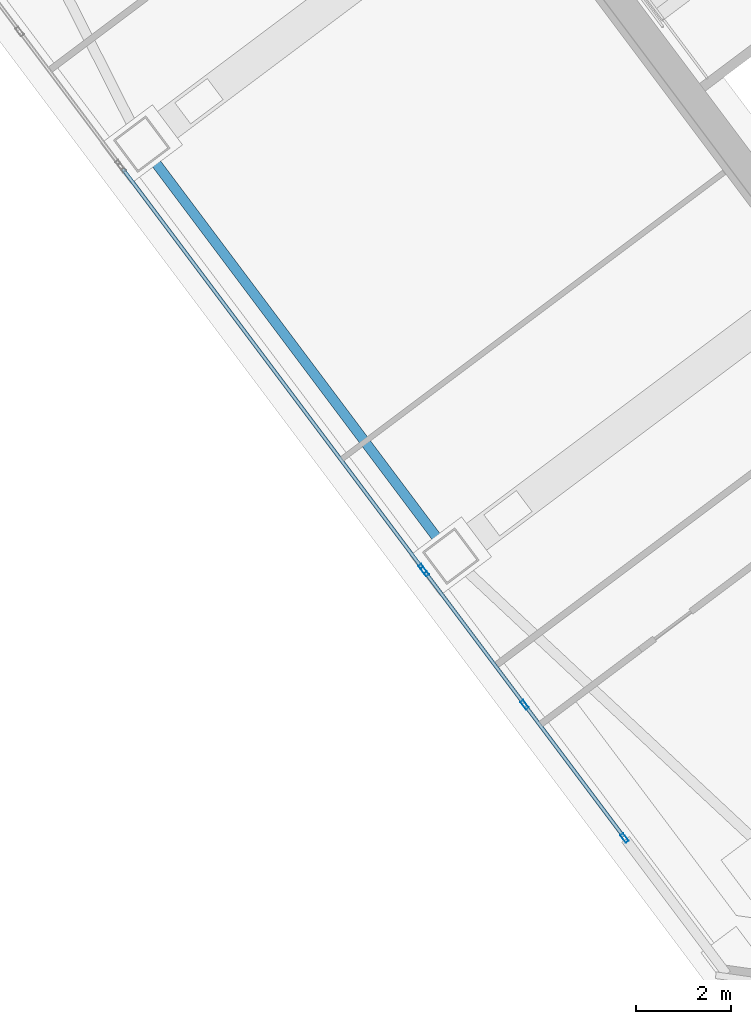
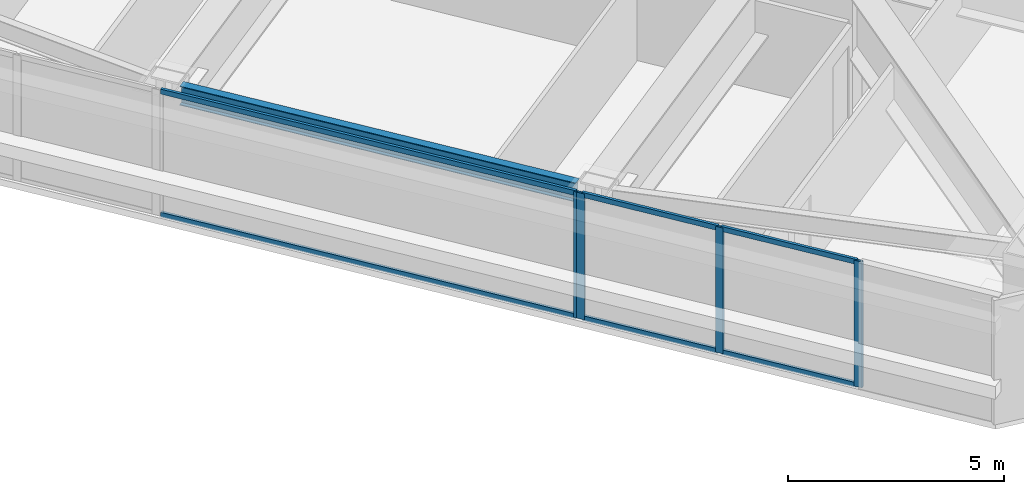
# One storey, part 16 of 42: 10 members, 1 beam, 2 elements without a shape of their own.
"""IFC4 building model written with IfcOpenShell, lengths in metres."""

import ifcopenshell
import ifcopenshell.guid

model = None  # the IFC model being written
_history = None  # IfcOwnerHistory: only IFC2X3 demands one
_inside = {}  # id of a spatial element -> (the spatial element, [elements in it])
_under = {}  # id of a project, library or spatial element -> (it, [spatial elements below it])
_declared = {}  # id of a project -> (the project, [libraries it declares])
_typed = {}  # id of a type object -> (the type object, [elements of that type])
_made_of = {}  # id of a material, layer set ... -> (it, [elements and type objects made of it])


def new_model(schema):
    """Start an empty IFC model of exactly this schema.

    Asked for "IFC4X3", IfcOpenShell would pick the latest addendum, in which some entities
    have other attributes; the version numbers below select the first issue.
    IFC2X3 requires an IfcOwnerHistory on every rooted entity: one is made here for all.
    """
    global model, _history
    if schema == "IFC4X3":
        model = ifcopenshell.file(schema_version=(4, 3, 0, 0))
    else:
        model = ifcopenshell.file(schema=schema)
    _inside.clear()
    _under.clear()
    _declared.clear()
    _typed.clear()
    _made_of.clear()
    _history = None
    if model.schema == "IFC2X3":
        org = make("IfcOrganization", Name="unknown")
        user = make(
            "IfcPersonAndOrganization",
            ThePerson=make("IfcPerson", FamilyName="unknown"),
            TheOrganization=org,
        )
        app = make(
            "IfcApplication",
            ApplicationDeveloper=org,
            Version="unknown",
            ApplicationFullName="unknown",
            ApplicationIdentifier="unknown",
        )
        _history = make(
            "IfcOwnerHistory",
            OwningUser=user,
            OwningApplication=app,
            ChangeAction="ADDED",
            CreationDate=0,
        )
    return model


def make(cls, **values):
    """One entity of the class cls with the attributes given. An attribute that is None is left unset."""
    return model.create_entity(
        cls, **{name: value for name, value in values.items() if value is not None}
    )


def rooted(cls, **values):
    """An entity with a GlobalId (a new one), such as an element, a storey or a relation."""
    return make(cls, GlobalId=ifcopenshell.guid.new(), OwnerHistory=_history, **values)


def si_unit(unit_type, name, prefix=None):
    """IfcSIUnit, for example si_unit("LENGTHUNIT", "METRE", prefix="MILLI")."""
    return make("IfcSIUnit", UnitType=unit_type, Prefix=prefix, Name=name)


def assignment(units):
    """IfcUnitAssignment: the units of a project."""
    return None if units is None else make("IfcUnitAssignment", Units=units)


def point(xyz):
    """IfcCartesianPoint."""
    return None if xyz is None else make("IfcCartesianPoint", Coordinates=xyz)


def direction(xyz):
    """IfcDirection."""
    return None if xyz is None else make("IfcDirection", DirectionRatios=xyz)


def frame(location, z_axis=None, x_axis=None):
    """IfcAxis2Placement3D, a coordinate frame: its origin and axes. An axis left out is left unset."""
    return make(
        "IfcAxis2Placement3D",
        Location=point(location),
        Axis=direction(z_axis),
        RefDirection=direction(x_axis),
    )


def frame_2d(location, x_axis=None):
    """IfcAxis2Placement2D, a coordinate frame in the plane: its origin and x axis."""
    return make(
        "IfcAxis2Placement2D", Location=point(location), RefDirection=direction(x_axis)
    )


def origin():
    """The frame at (0, 0, 0) with its axes left unset."""
    return frame((0.0, 0.0, 0.0))


def origin_2d():
    """The frame at (0, 0) in the plane with its x axis left unset."""
    return frame_2d((0.0, 0.0))


def place(relative_to, where):
    """IfcLocalPlacement: puts the frame where relative to a parent placement (None: the world)."""
    return make(
        "IfcLocalPlacement", PlacementRelTo=relative_to, RelativePlacement=where
    )


def context(
    kind, dimensions, precision=None, world=None, true_north=None, identifier=None
):
    """IfcGeometricRepresentationContext, for example the 3D "Model" context."""
    return make(
        "IfcGeometricRepresentationContext",
        ContextIdentifier=identifier,
        ContextType=kind,
        CoordinateSpaceDimension=dimensions,
        Precision=precision,
        WorldCoordinateSystem=world,
        TrueNorth=true_north,
    )


def subcontext(parent, identifier, kind, view, scale=None):
    """IfcGeometricRepresentationSubContext, for example "Body" below "Model"."""
    return make(
        "IfcGeometricRepresentationSubContext",
        ContextIdentifier=identifier,
        ContextType=kind,
        ParentContext=parent,
        TargetScale=scale,
        TargetView=view,
    )


def project(units=None, contexts=None):
    """IfcProject with its units and contexts."""
    return rooted(
        "IfcProject",
        Name="project",
        RepresentationContexts=contexts,
        UnitsInContext=assignment(units),
    )


def spatial(cls, under=None, at=None, **own):
    """A site, building, storey or space (cls), placed at a placement, below another one or the project."""
    s = rooted(cls, ObjectPlacement=at, **own)
    if under is not None:
        _under.setdefault(under.id(), (under, []))[1].append(s)
    return s


def profile(cls, at=None, kind="AREA", **sizes):
    """A parametric profile (cls). Its sizes go by their IFC names, for example OverallWidth=200.0."""
    return make(cls, ProfileType=kind, Position=at, **sizes)


def hollow_rectangle(**sizes):
    """IfcRectangleHollowProfileDef."""
    return profile("IfcRectangleHollowProfileDef", **sizes)


def i_section(**sizes):
    """IfcIShapeProfileDef."""
    return profile("IfcIShapeProfileDef", **sizes)


def extrude(swept, where, along, depth):
    """IfcExtrudedAreaSolid: the profile swept, set in the frame where, extruded along a direction by depth."""
    return make(
        "IfcExtrudedAreaSolid",
        SweptArea=swept,
        Position=where,
        ExtrudedDirection=direction(along),
        Depth=depth,
    )


def shape(context_of_items, identifier, shape_type, items):
    """IfcShapeRepresentation: the items that make up one representation, for example the "Body"."""
    return make(
        "IfcShapeRepresentation",
        ContextOfItems=context_of_items,
        RepresentationIdentifier=identifier,
        RepresentationType=shape_type,
        Items=items,
    )


def material(Name=None, Category=None):
    """IfcMaterial."""
    return make("IfcMaterial", Name=Name, Category=Category)


def material_profile(
    of_material, cross_section, Name=None, Category=None, Priority=None
):
    """IfcMaterialProfile: a cross section and its material."""
    return make(
        "IfcMaterialProfile",
        Name=Name,
        Material=of_material,
        Profile=cross_section,
        Priority=Priority,
        Category=Category,
    )


def profile_set(profiles, Name=None, composite=None):
    """IfcMaterialProfileSet."""
    return make(
        "IfcMaterialProfileSet",
        Name=Name,
        MaterialProfiles=profiles,
        CompositeProfile=composite,
    )


def made_of(thing, what):
    """Note that an element or type object is made of a material, layer set ...; save() writes the relation."""
    if what is not None:
        _made_of.setdefault(what.id(), (what, []))[1].append(thing)
    return thing


def type_object(cls, material=None, **own):
    """A type object (cls), such as IfcWallType, which elements share."""
    return made_of(rooted(cls, **own), material)


def element(
    cls,
    number,
    at=None,
    inside=None,
    cuts=None,
    type_object=None,
    material=None,
    context=None,
    identifier="Body",
    shape_type=None,
    held_by="IfcProductDefinitionShape",
    body=None,
    shapes=None,
    **own,
):
    """One element of the class cls, such as IfcWall. Its Tag is "e" and its number.

    at: its placement. inside: the storey or other place that contains it. cuts: it is an
    opening in that element (IfcRelVoidsElement). A single representation is given by context,
    identifier, shape_type and body (its items); several are given by shapes. held_by: the class
    of the entity that holds the representations. save() writes the other relations.
    """
    e = rooted(cls, Tag="e%d" % number, ObjectPlacement=at, **own)
    if body is not None:
        shapes = [shape(context, identifier, shape_type, body)]
    if shapes is not None:
        e.Representation = make(held_by, Representations=shapes)
    if inside is not None:
        _inside.setdefault(inside.id(), (inside, []))[1].append(e)
    if cuts is not None:
        rooted(
            "IfcRelVoidsElement", RelatingBuildingElement=cuts, RelatedOpeningElement=e
        )
    if type_object is not None:
        _typed.setdefault(type_object.id(), (type_object, []))[1].append(e)
    return made_of(e, material)


def aggregate(whole, parts):
    """IfcRelAggregates: a whole, such as a stair, and the parts it consists of."""
    return rooted("IfcRelAggregates", RelatingObject=whole, RelatedObjects=parts)


def save(model, path):
    """Write the relations noted so far, then the file.

    IfcRelAggregates (storeys below a building ...), IfcRelContainedInSpatialStructure (elements
    in a storey), IfcRelDefinesByType, IfcRelAssociatesMaterial and IfcRelDeclares: one each for
    every whole, place, type object, material and project.
    """
    for whole, parts in _under.values():
        aggregate(whole, parts)
    for where, things in _inside.values():
        rooted(
            "IfcRelContainedInSpatialStructure",
            RelatedElements=things,
            RelatingStructure=where,
        )
    for kind, things in _typed.values():
        rooted("IfcRelDefinesByType", RelatedObjects=things, RelatingType=kind)
    for what, things in _made_of.values():
        rooted("IfcRelAssociatesMaterial", RelatedObjects=things, RelatingMaterial=what)
    for by, libraries in _declared.values():
        rooted("IfcRelDeclares", RelatingContext=by, RelatedDefinitions=libraries)
    model.write(path)


model = new_model("IFC4")

# Units and contexts
model_context = context("Model", 3, precision=1e-05, world=origin(), true_north=direction((0.0, 1.0)))
body_context = subcontext(model_context, "Body", "Model", "MODEL_VIEW")
ifc_project = project(units=[si_unit("LENGTHUNIT", "METRE"), si_unit("AREAUNIT", "SQUARE_METRE"), si_unit("VOLUMEUNIT", "CUBIC_METRE"), si_unit("PLANEANGLEUNIT", "RADIAN"), si_unit("MASSUNIT", "GRAM", prefix="KILO")], contexts=[model_context])

# Site, building, storey
site_placement = place(None, origin())
site = spatial("IfcSite", under=ifc_project, at=site_placement, CompositionType="ELEMENT")
building_placement = place(site_placement, origin())
building = spatial("IfcBuilding", under=site, at=building_placement, Name="Tashvorn Skyway Center", CompositionType="ELEMENT")
storey_placement = place(building_placement, frame((0.0, 0.0, 153.449951171875)))
storey = spatial("IfcBuildingStorey", under=building, at=storey_placement, Name="L41", CompositionType="ELEMENT", Elevation=153.449951171875)

# Beam
ifc_material_1 = material(Name="Steel ASTM A992 Grade 50", Category="steel")
ifc_material_profile_1 = material_profile(ifc_material_1, i_section(OverallWidth=0.2109375, OverallDepth=0.5390625, WebThickness=0.01171875, FlangeThickness=0.018798828125, at=origin_2d()), Name="W21X73")
ifc_profile_set_1 = profile_set([ifc_material_profile_1], Name="Steel ASTM A992 Grade 50")
beam_type = type_object("IfcBeamType", Name="BM-SPANDREL-W21X73", PredefinedType="SPANDREL", material=ifc_profile_set_1)
beam_placement = place(storey_placement, frame((96.89208984375, 25.39404296875, 3.1005859375), z_axis=(0.599988234018, -0.800008824351, 0.0), x_axis=(0.800008824351, 0.599988234018, 0.0)))
element("IfcBeam", 1, at=beam_placement, inside=storey, type_object=beam_type, Name="Tower 2 L41 Spandrel Beam 11", PredefinedType="SPANDREL", context=body_context, shape_type="SweptSolid", body=[
    extrude(i_section(OverallWidth=0.2109375, OverallDepth=0.5390625, WebThickness=0.01171875, FlangeThickness=0.018798828125, at=origin_2d()), origin(), (0.0, 0.0, 1.0), 9.9599609375),
])

# Curtain wall, members
ifc_material_2 = material(Name="Thermally broken bronze-anodized aluminium 6063-T6", Category="aluminium")
curtain_wall_type = type_object("IfcCurtainWallType", Name="CW-CW-Z3", PredefinedType="NOTDEFINED", material=ifc_material_2)
curtain_wall_1_placement = place(storey_placement, origin())
curtain_wall_1 = element("IfcCurtainWall", 2, at=curtain_wall_1_placement, inside=storey, type_object=curtain_wall_type, Name="Tower 2 L41 West Unitised Curtain Wall Glazing Group 1", PredefinedType="NOTDEFINED")
ifc_material_profile_2 = material_profile(ifc_material_2, hollow_rectangle(XDim=0.074951171875, YDim=0.199951171875, WallThickness=0.00439453125, at=origin_2d()), Name="ALU-MULL-75x200")
ifc_profile_set_2 = profile_set([ifc_material_profile_2], Name="Thermally broken bronze-anodized aluminium 6063-T6")
member_type_1 = type_object("IfcMemberType", Name="CWM-CW-Z3", PredefinedType="MULLION", material=ifc_profile_set_2)
member_1_placement = place(storey_placement, frame((106.76416015625, 11.18115234375, 0.0), z_axis=(0.0, 0.0, 1.0), x_axis=(-0.799996599484, -0.600004533995, 0.0)))
member_1 = element("IfcMember", 3, at=member_1_placement, type_object=member_type_1, Name="CW-Z3 mullion 1", PredefinedType="MULLION", context=body_context, shape_type="SweptSolid", body=[
    extrude(hollow_rectangle(XDim=0.074951171875, YDim=0.199951171875, WallThickness=0.00439453125, at=origin_2d()), origin(), (0.0, 0.0, 1.0), 3.550048828125),
])
member_2_placement = place(storey_placement, frame((104.66943359375, 13.97412109375, 0.0), z_axis=(0.0, 0.0, 1.0), x_axis=(-0.799996599484, -0.600004533995, 0.0)))
member_2 = element("IfcMember", 4, at=member_2_placement, type_object=member_type_1, Name="CW-Z3 mullion 2", PredefinedType="MULLION", context=body_context, shape_type="SweptSolid", body=[
    extrude(hollow_rectangle(XDim=0.074951171875, YDim=0.199951171875, WallThickness=0.00439453125, at=origin_2d()), origin(), (0.0, 0.0, 1.0), 3.550048828125),
])
member_3_placement = place(storey_placement, frame((102.574462890625, 16.767333984375, 0.0), z_axis=(0.0, 0.0, 1.0), x_axis=(-0.799996599484, -0.600004533995, 0.0)))
member_3 = element("IfcMember", 5, at=member_3_placement, type_object=member_type_1, Name="CW-Z3 mullion 3", PredefinedType="MULLION", context=body_context, shape_type="SweptSolid", body=[
    extrude(hollow_rectangle(XDim=0.074951171875, YDim=0.199951171875, WallThickness=0.00439453125, at=origin_2d()), origin(), (0.0, 0.0, 1.0), 3.550048828125),
])

# Curtain wall, member
curtain_wall_2_placement = place(storey_placement, origin())
curtain_wall_2 = element("IfcCurtainWall", 6, at=curtain_wall_2_placement, inside=storey, type_object=curtain_wall_type, Name="Tower 2 L41 West Unitised Curtain Wall Glazing Group 2", PredefinedType="NOTDEFINED")
member_4_placement = place(storey_placement, frame((102.529541015625, 16.827392578125, 0.0), z_axis=(0.0, 0.0, 1.0), x_axis=(-0.800002266987, -0.599996977339, 0.0)))
member_4 = element("IfcMember", 7, at=member_4_placement, type_object=member_type_1, Name="CW-Z3 mullion 1", PredefinedType="MULLION", context=body_context, shape_type="SweptSolid", body=[
    extrude(hollow_rectangle(XDim=0.074951171875, YDim=0.199951171875, WallThickness=0.00439453125, at=origin_2d()), origin(), (0.0, 0.0, 1.0), 3.550048828125),
])

# Member
ifc_material_profile_3 = material_profile(ifc_material_2, hollow_rectangle(XDim=0.074951171875, YDim=0.139892578125, WallThickness=0.004150390625, at=origin_2d()), Name="ALU-TRAN-75x140")
ifc_profile_set_3 = profile_set([ifc_material_profile_3], Name="Thermally broken bronze-anodized aluminium 6063-T6")
member_type_2 = type_object("IfcMemberType", Name="CWT-CW-Z3", PredefinedType="USERDEFINED", material=ifc_profile_set_3)
member_5_placement = place(storey_placement, frame((106.74169921875, 11.211181640625, 0.03759765625), z_axis=(-0.600022868659, 0.799982847995, 0.0), x_axis=(-0.799982847995, -0.600022868659, 0.0)))
member_5 = element("IfcMember", 8, at=member_5_placement, type_object=member_type_2, Name="CW-Z3 transom 1.1", ObjectType="TRANSOM", PredefinedType="USERDEFINED", context=body_context, shape_type="SweptSolid", body=[
    extrude(hollow_rectangle(XDim=0.074951171875, YDim=0.139892578125, WallThickness=0.004150390625, at=origin_2d()), origin(), (0.0, 0.0, 1.0), 3.416259765625),
])

member_6_placement = place(storey_placement, frame((106.74169921875, 11.211181640625, 3.512451171875), z_axis=(-0.600022868659, 0.799982847995, 0.0), x_axis=(-0.799982847995, -0.600022868659, 0.0)))
member_6 = element("IfcMember", 9, at=member_6_placement, type_object=member_type_2, Name="CW-Z3 transom 1.2", ObjectType="TRANSOM", PredefinedType="USERDEFINED", context=body_context, shape_type="SweptSolid", body=[
    extrude(hollow_rectangle(XDim=0.074951171875, YDim=0.139892578125, WallThickness=0.004150390625, at=origin_2d()), origin(), (0.0, 0.0, 1.0), 3.416259765625),
])

member_7_placement = place(storey_placement, frame((104.646728515625, 14.004150390625, 0.03759765625), z_axis=(-0.59998856614, 0.800008575267, 0.0), x_axis=(-0.800008575267, -0.59998856614, 0.0)))
member_7 = element("IfcMember", 10, at=member_7_placement, type_object=member_type_2, Name="CW-Z3 transom 2.1", ObjectType="TRANSOM", PredefinedType="USERDEFINED", context=body_context, shape_type="SweptSolid", body=[
    extrude(hollow_rectangle(XDim=0.074951171875, YDim=0.139892578125, WallThickness=0.004150390625, at=origin_2d()), origin(), (0.0, 0.0, 1.0), 3.41650390625),
])

member_8_placement = place(storey_placement, frame((104.646728515625, 14.004150390625, 3.512451171875), z_axis=(-0.59998856614, 0.800008575267, 0.0), x_axis=(-0.800008575267, -0.59998856614, 0.0)))
member_8 = element("IfcMember", 11, at=member_8_placement, type_object=member_type_2, Name="CW-Z3 transom 2.2", ObjectType="TRANSOM", PredefinedType="USERDEFINED", context=body_context, shape_type="SweptSolid", body=[
    extrude(hollow_rectangle(XDim=0.074951171875, YDim=0.139892578125, WallThickness=0.004150390625, at=origin_2d()), origin(), (0.0, 0.0, 1.0), 3.41650390625),
])

aggregate(curtain_wall_1, [member_1, member_2, member_3, member_5, member_6, member_7, member_8])

member_9_placement = place(storey_placement, frame((102.507080078125, 16.857421875, 0.03759765625), z_axis=(-0.599996257181, 0.800002807101, 0.0), x_axis=(-0.800002807101, -0.599996257181, 0.0)))
member_9 = element("IfcMember", 12, at=member_9_placement, type_object=member_type_2, Name="CW-Z3 transom 1.1", ObjectType="TRANSOM", PredefinedType="USERDEFINED", context=body_context, shape_type="SweptSolid", body=[
    extrude(hollow_rectangle(XDim=0.074951171875, YDim=0.139892578125, WallThickness=0.004150390625, at=origin_2d()), origin(), (0.0, 0.0, 1.0), 10.436767578125),
])

member_10_placement = place(storey_placement, frame((102.507080078125, 16.857421875, 3.512451171875), z_axis=(-0.599996257181, 0.800002807101, 0.0), x_axis=(-0.800002807101, -0.599996257181, 0.0)))
member_10 = element("IfcMember", 13, at=member_10_placement, type_object=member_type_2, Name="CW-Z3 transom 1.2", ObjectType="TRANSOM", PredefinedType="USERDEFINED", context=body_context, shape_type="SweptSolid", body=[
    extrude(hollow_rectangle(XDim=0.074951171875, YDim=0.139892578125, WallThickness=0.004150390625, at=origin_2d()), origin(), (0.0, 0.0, 1.0), 10.436767578125),
])

aggregate(curtain_wall_2, [member_4, member_9, member_10])

save(model, "model.ifc")
